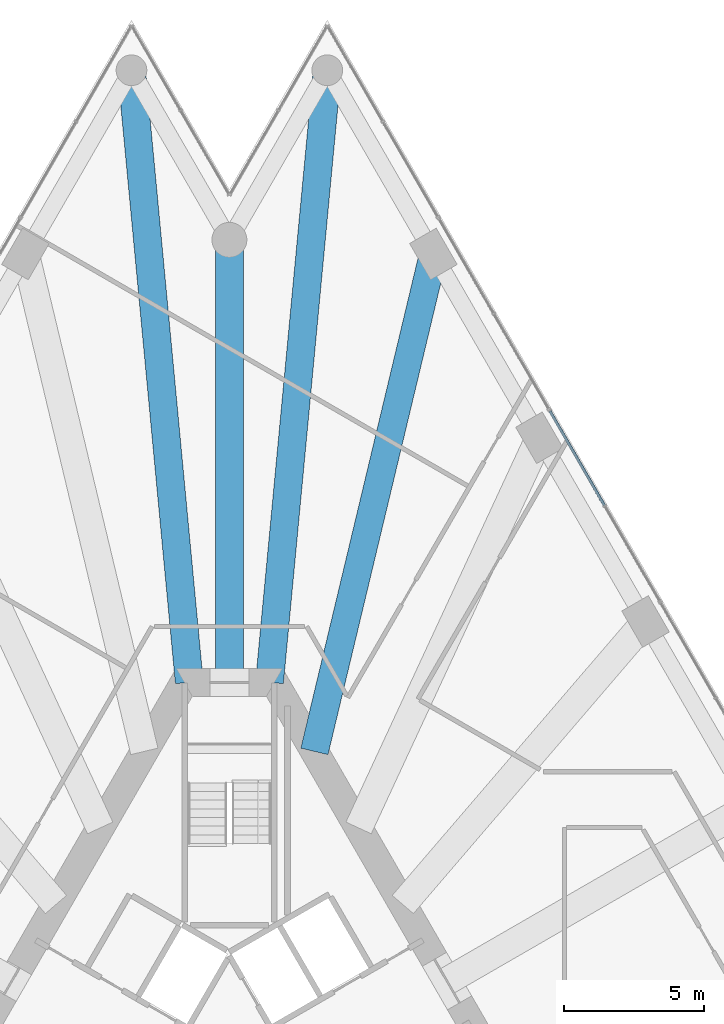
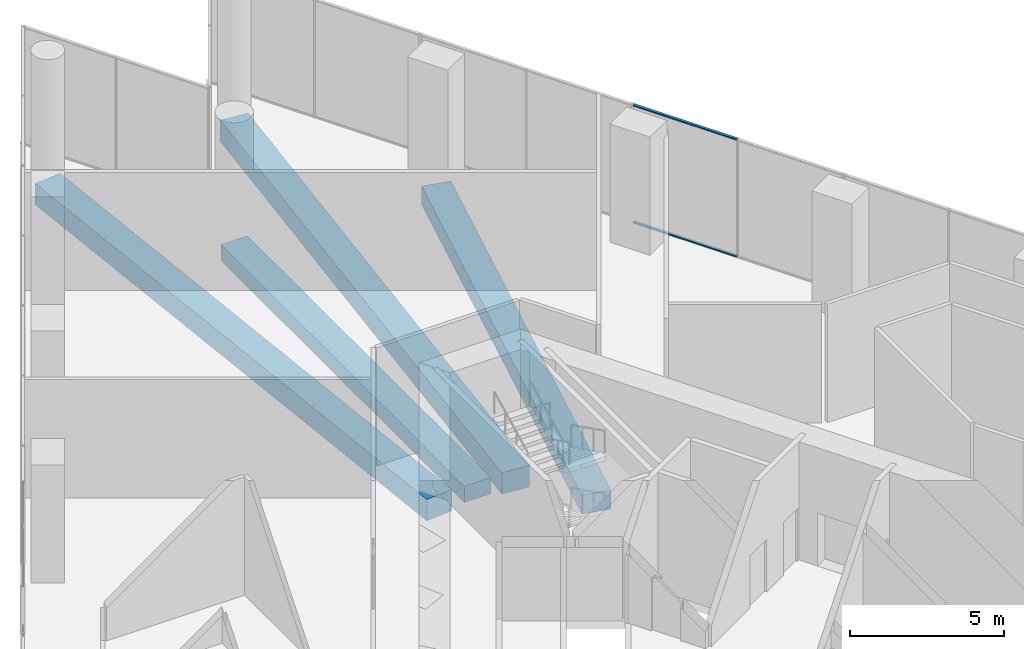
# One storey, part 16 of 28: 4 beams, 2 members, 1 element without a shape of its own.
"""IFC4 building model written with IfcOpenShell, lengths in metres."""

from ifc_helpers import new_model, si_unit, direction, frame, origin, origin_2d, place, context, subcontext, project, spatial, rectangle, extrude, material, layer, layer_set, material_profile, profile_set, type_object, element, aggregate, save


model = new_model("IFC4")

# Units and contexts
model_context = context("Model", 3, precision=1e-05, world=origin(), true_north=direction((0.0, 1.0)))
body_context = subcontext(model_context, "Body", "Model", "MODEL_VIEW")
ifc_project = project(units=[si_unit("LENGTHUNIT", "METRE"), si_unit("AREAUNIT", "SQUARE_METRE"), si_unit("VOLUMEUNIT", "CUBIC_METRE"), si_unit("PLANEANGLEUNIT", "RADIAN"), si_unit("MASSUNIT", "GRAM", prefix="KILO")], contexts=[model_context])

# Site, building, storey
site_placement = place(None, origin())
site = spatial("IfcSite", under=ifc_project, at=site_placement, CompositionType="ELEMENT")
building_placement = place(site_placement, origin())
building = spatial("IfcBuilding", under=site, at=building_placement, Name="Triada Interchange Tower", CompositionType="ELEMENT")
storey_placement = place(building_placement, frame((0.0, 0.0, 30.300048828125)))
storey = spatial("IfcBuildingStorey", under=building, at=storey_placement, Name="L05", CompositionType="ELEMENT", Elevation=30.300048828125)

# Beams
ifc_material_1 = material(Name="Concrete C50/60", Category="concrete")
ifc_material_profile_1 = material_profile(ifc_material_1, rectangle(XDim=1.0, YDim=0.64990234375, at=origin_2d()), Name="RC 1000x650")
ifc_profile_set_1 = profile_set([ifc_material_profile_1], Name="Concrete C50/60")
beam_type_1 = type_object("IfcBeamType", Name="Radial band beam P RC 1000x650", PredefinedType="BEAM", material=ifc_profile_set_1)
beam_1_placement = place(storey_placement, frame((0.0, 31.050048828125, -0.72509765625), z_axis=(0.0, -1.0, 0.0), x_axis=(1.0, 0.0, 0.0)))
element("IfcBeam", 1, at=beam_1_placement, inside=storey, type_object=beam_type_1, Name="Radial band beam BP30 L05", PredefinedType="BEAM", context=body_context, shape_type="SweptSolid", body=[
    extrude(rectangle(XDim=1.0, YDim=0.64990234375, at=origin_2d()), origin(), (0.0, 0.0, 1.0), 15.85009765625),
])
ifc_material_profile_2 = material_profile(ifc_material_1, rectangle(XDim=1.0, YDim=0.75, at=origin_2d()), Name="RC 1000x750")
ifc_profile_set_2 = profile_set([ifc_material_profile_2], Name="Concrete C50/60")
beam_type_2 = type_object("IfcBeamType", Name="Radial band beam P RC 1000x750", PredefinedType="BEAM", material=ifc_profile_set_2)
beam_2_placement = place(storey_placement, frame((7.306884765625, 30.5439453125, -0.775146484375), z_axis=(-0.232645559645, -0.972561588578, 0.0), x_axis=(0.972561588578, -0.232645559645, 0.0)))
element("IfcBeam", 2, at=beam_2_placement, inside=storey, type_object=beam_type_2, Name="Radial band beam BP28 L05", PredefinedType="BEAM", context=body_context, shape_type="SweptSolid", body=[
    extrude(rectangle(XDim=1.0, YDim=0.75, at=origin_2d()), origin(), (0.0, 0.0, 1.0), 18.319580078125),
])
ifc_material_profile_3 = material_profile(ifc_material_1, rectangle(XDim=1.0, YDim=0.85009765625, at=origin_2d()), Name="RC 1000x850")
ifc_profile_set_3 = profile_set([ifc_material_profile_3], Name="Concrete C50/60")
beam_type_3 = type_object("IfcBeamType", Name="Radial band beam P RC 1000x850", PredefinedType="BEAM", material=ifc_profile_set_3)
for number, where, z_axis, x_axis, name in (
    (3, (-3.507080078125, 37.125, -0.824951171875), (0.094041597071, -0.99556826889, 0.0), (0.99556826889, 0.094041597071, 0.0), "Radial band beam BP01 L05"),
    (4, (3.507080078125, 37.125, -0.824951171875), (-0.094041597071, -0.99556826889, 0.0), (0.99556826889, -0.094041597071, 0.0), "Radial band beam BP29 L05"),
):
    element("IfcBeam", number, at=place(storey_placement, frame(where, z_axis=z_axis, x_axis=x_axis)), inside=storey, type_object=beam_type_3, Name=name, PredefinedType="BEAM", context=body_context, shape_type="SweptSolid", body=[
        extrude(rectangle(XDim=1.0, YDim=0.85009765625, at=origin_2d()), origin(), (0.0, 0.0, 1.0), 22.022705078125),
    ])

# Curtain wall, members
ifc_material_2 = material(Name="Aluminium framed glazing", Category="aluminium")
ifc_layer = layer(ifc_material_2, 0.199951171875)
ifc_layer_set = layer_set([ifc_layer], Name="Curtain wall Winter garden glazing")
curtain_wall_type = type_object("IfcCurtainWallType", Name="Curtain wall Winter garden glazing", PredefinedType="NOTDEFINED", material=ifc_layer_set)
curtain_wall_placement = place(storey_placement, origin())
curtain_wall = element("IfcCurtainWall", 5, at=curtain_wall_placement, inside=storey, type_object=curtain_wall_type, Name="Winter garden glazing CW017 L05", PredefinedType="NOTDEFINED")
ifc_material_3 = material(Name="Aluminium", Category="aluminium")
ifc_material_profile_4 = material_profile(ifc_material_3, rectangle(XDim=0.10009765625, YDim=0.050048828125, at=origin_2d()), Name="Aluminium transom")
ifc_profile_set_4 = profile_set([ifc_material_profile_4], Name="Aluminium")
member_type = type_object("IfcMemberType", Name="Transom Winter garden glazing 100x50", PredefinedType="USERDEFINED", material=ifc_profile_set_4)
member_1_placement = place(storey_placement, frame((13.427001953125, 21.543701171875, 0.02490234375), z_axis=(-0.499950487857, 0.866053987747, 0.0), x_axis=(-0.866053987747, -0.499950487857, 0.0)))
member_1 = element("IfcMember", 6, at=member_1_placement, type_object=member_type, Name="CW017 transom 2.1", ObjectType="TRANSOM", PredefinedType="USERDEFINED", context=body_context, shape_type="SweptSolid", body=[
    extrude(rectangle(XDim=0.10009765625, YDim=0.050048828125, at=origin_2d()), origin(), (0.0, 0.0, 1.0), 3.892578125),
])
member_2_placement = place(storey_placement, frame((13.427001953125, 21.543701171875, 4.675048828125), z_axis=(-0.499950487857, 0.866053987747, 0.0), x_axis=(-0.866053987747, -0.499950487857, 0.0)))
member_2 = element("IfcMember", 7, at=member_2_placement, type_object=member_type, Name="CW017 transom 2.2", ObjectType="TRANSOM", PredefinedType="USERDEFINED", context=body_context, shape_type="SweptSolid", body=[
    extrude(rectangle(XDim=0.10009765625, YDim=0.050048828125, at=origin_2d()), origin(), (0.0, 0.0, 1.0), 3.892578125),
])
aggregate(curtain_wall, [member_1, member_2])

save(model, "model.ifc")
